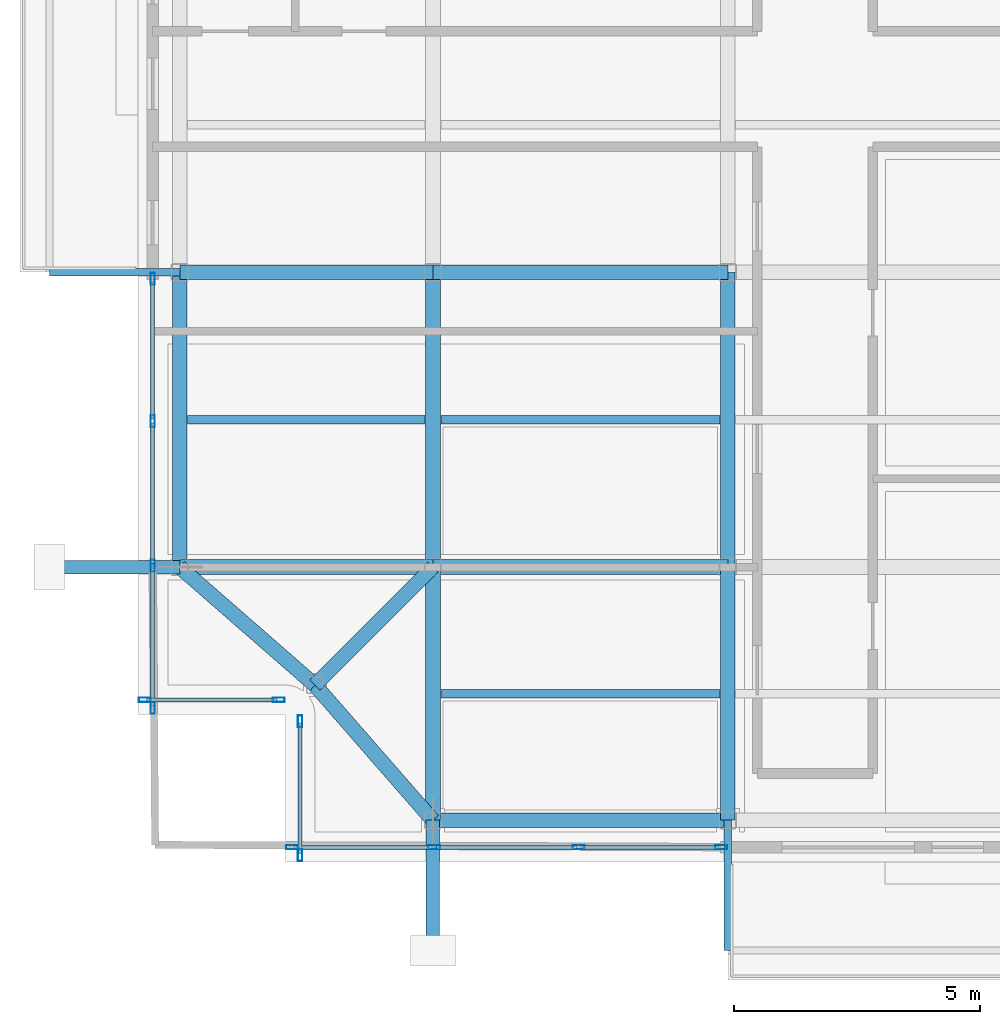
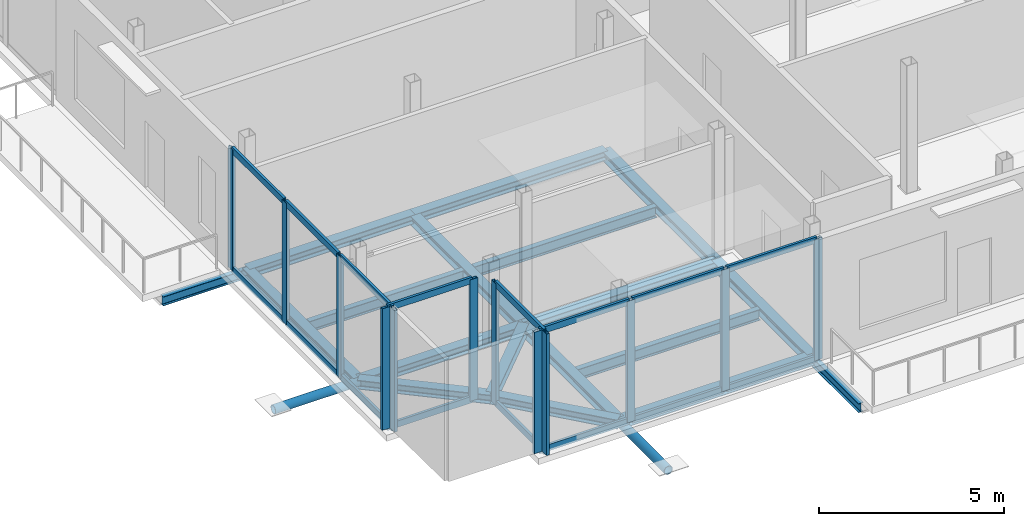
# One storey, part 2 of 16: 30 members, 18 beams, 4 elements without a shape of their own.
"""IFC4 building model written with IfcOpenShell, lengths in metres."""

from ifc_helpers import new_model, si_unit, direction, frame, origin, origin_2d, place, context, subcontext, project, spatial, hollow_rectangle, hollow_circle, i_section, extrude, material, layer, layer_set, material_profile, profile_set, type_object, element, aggregate, save


model = new_model("IFC4")

# Units and contexts
model_context = context("Model", 3, precision=1e-05, world=origin(), true_north=direction((0.0, 1.0)))
body_context = subcontext(model_context, "Body", "Model", "MODEL_VIEW")
ifc_project = project(units=[si_unit("LENGTHUNIT", "METRE"), si_unit("AREAUNIT", "SQUARE_METRE"), si_unit("VOLUMEUNIT", "CUBIC_METRE"), si_unit("PLANEANGLEUNIT", "RADIAN"), si_unit("MASSUNIT", "GRAM", prefix="KILO"), si_unit("THERMODYNAMICTEMPERATUREUNIT", "KELVIN"), si_unit("POWERUNIT", "WATT")], contexts=[model_context])

# Site, building, storey
site_placement = place(None, origin())
site = spatial("IfcSite", under=ifc_project, at=site_placement, CompositionType="ELEMENT")
building_placement = place(site_placement, origin())
building = spatial("IfcBuilding", under=site, at=building_placement, Name="Svarakhadi Broadcast Tower", CompositionType="ELEMENT")
storey_placement = place(building_placement, frame((0.0, 0.0, 292.199951171875)))
storey = spatial("IfcBuildingStorey", under=building, at=storey_placement, Name="L74", CompositionType="ELEMENT", Elevation=292.199951171875)

# Beams
ifc_material_1 = material(Name="Steel S355J2 (IS 2062 E350C)", Category="steel")
ifc_material_profile_1 = material_profile(ifc_material_1, i_section(OverallWidth=0.169921875, OverallDepth=0.360107421875, WebThickness=0.008056640625, FlangeThickness=0.0126953125, FilletRadius=0.01806640625, at=origin_2d()), Name="NPB 360x170x57")
ifc_profile_set_1 = profile_set([ifc_material_profile_1], Name="Steel S355J2 (IS 2062 E350C)")
beam_type_1 = type_object("IfcBeamType", Name="Beam_NPB360", PredefinedType="BEAM", material=ifc_profile_set_1)
beam_1_placement = place(storey_placement, frame((1.010009765625, 9.0, -0.3798828125), z_axis=(1.0, 0.0, 0.0), x_axis=(0.0, 1.0, 0.0)))
element("IfcBeam", 1, at=beam_1_placement, inside=storey, type_object=beam_type_1, Name="L74 Secondary Composite Beam SB001", PredefinedType="BEAM", context=body_context, shape_type="SweptSolid", body=[
    extrude(i_section(OverallWidth=0.169921875, OverallDepth=0.360107421875, WebThickness=0.008056640625, FlangeThickness=0.0126953125, FilletRadius=0.01806640625, at=origin_2d()), origin(), (0.0, 0.0, 1.0), 4.830078125),
])
for number, where, z_axis, x_axis, name in (
    (2, (6.159912109375, 3.425048828125, -0.3798828125), (1.0, 0.0, 0.0), (0.0, 1.0, 0.0), "L74 Secondary Composite Beam SB004"),
    (3, (6.159912109375, 9.0, -0.3798828125), (1.0, 0.0, 0.0), (0.0, 1.0, 0.0), "L74 Secondary Composite Beam SB005"),
):
    element("IfcBeam", number, at=place(storey_placement, frame(where, z_axis=z_axis, x_axis=x_axis)), inside=storey, type_object=beam_type_1, Name=name, PredefinedType="BEAM", context=body_context, shape_type="SweptSolid", body=[
        extrude(i_section(OverallWidth=0.169921875, OverallDepth=0.360107421875, WebThickness=0.008056640625, FlangeThickness=0.0126953125, FilletRadius=0.01806640625, at=origin_2d()), origin(), (0.0, 0.0, 1.0), 5.68017578125),
    ])

# Curtain wall, members
ifc_material_2 = material(Name="Anodised Bronze Aluminium AA 6063-T6", Category="aluminium")
ifc_layer = layer(ifc_material_2, 0.239990234375)
ifc_layer_set = layer_set([ifc_layer], Name="Anodised Bronze Aluminium AA 6063-T6")
curtain_wall_type = type_object("IfcCurtainWallType", Name="CW_Sys_06", PredefinedType="NOTDEFINED", material=ifc_layer_set)
curtain_wall_1_placement = place(storey_placement, origin())
curtain_wall_1 = element("IfcCurtainWall", 4, at=curtain_wall_1_placement, inside=storey, type_object=curtain_wall_type, Name="L74 Unitised Facade Curtain Wall 01", PredefinedType="NOTDEFINED")
ifc_material_profile_2 = material_profile(ifc_material_2, hollow_rectangle(XDim=0.090087890625, YDim=0.239990234375, WallThickness=0.006103515625, at=origin_2d()), Name="ALU MULLION 240x90x6")
ifc_profile_set_2 = profile_set([ifc_material_profile_2], Name="Anodised Bronze Aluminium AA 6063-T6")
member_type_1 = type_object("IfcMemberType", Name="CW_Sys_06_Mul", PredefinedType="MULLION", material=ifc_profile_set_2)
member_1_placement = place(storey_placement, frame((2.864990234375, 3.300048828125, 0.0), z_axis=(0.0, 0.0, 1.0), x_axis=(0.0, -1.0, 0.0)))
member_1 = element("IfcMember", 5, at=member_1_placement, type_object=member_type_1, Name="CW-06 mullion 1", PredefinedType="MULLION", context=body_context, shape_type="SweptSolid", body=[
    extrude(hollow_rectangle(XDim=0.090087890625, YDim=0.239990234375, WallThickness=0.006103515625, at=origin_2d()), origin(), (0.0, 0.0, 1.0), 4.0),
])
member_2_placement = place(storey_placement, frame((0.135009765625, 3.300048828125, 0.0), z_axis=(0.0, 0.0, 1.0), x_axis=(0.0, -1.0, 0.0)))
member_2 = element("IfcMember", 6, at=member_2_placement, type_object=member_type_1, Name="CW-06 mullion 2", PredefinedType="MULLION", context=body_context, shape_type="SweptSolid", body=[
    extrude(hollow_rectangle(XDim=0.090087890625, YDim=0.239990234375, WallThickness=0.006103515625, at=origin_2d()), origin(), (0.0, 0.0, 1.0), 4.0),
])

curtain_wall_2_placement = place(storey_placement, origin())
curtain_wall_2 = element("IfcCurtainWall", 7, at=curtain_wall_2_placement, inside=storey, type_object=curtain_wall_type, Name="L74 West Curtain Wall 02", PredefinedType="NOTDEFINED")
member_3_placement = place(storey_placement, frame((0.300048828125, 3.135009765625, 0.0), z_axis=(0.0, 0.0, 1.0), x_axis=(-1.0, 0.0, 0.0)))
member_3 = element("IfcMember", 8, at=member_3_placement, type_object=member_type_1, Name="CW-06 mullion 1", PredefinedType="MULLION", context=body_context, shape_type="SweptSolid", body=[
    extrude(hollow_rectangle(XDim=0.090087890625, YDim=0.239990234375, WallThickness=0.006103515625, at=origin_2d()), origin(), (0.0, 0.0, 1.0), 4.0),
])
member_4_placement = place(storey_placement, frame((0.300048828125, 6.030029296875, 0.0), z_axis=(0.0, 0.0, 1.0), x_axis=(-1.0, 0.0, 0.0)))
member_4 = element("IfcMember", 9, at=member_4_placement, type_object=member_type_1, Name="CW-06 mullion 2", PredefinedType="MULLION", context=body_context, shape_type="SweptSolid", body=[
    extrude(hollow_rectangle(XDim=0.090087890625, YDim=0.239990234375, WallThickness=0.006103515625, at=origin_2d()), origin(), (0.0, 0.0, 1.0), 4.0),
])
member_5_placement = place(storey_placement, frame((0.300048828125, 8.969970703125, 0.0), z_axis=(0.0, 0.0, 1.0), x_axis=(-1.0, 0.0, 0.0)))
member_5 = element("IfcMember", 10, at=member_5_placement, type_object=member_type_1, Name="CW-06 mullion 3", PredefinedType="MULLION", context=body_context, shape_type="SweptSolid", body=[
    extrude(hollow_rectangle(XDim=0.090087890625, YDim=0.239990234375, WallThickness=0.006103515625, at=origin_2d()), origin(), (0.0, 0.0, 1.0), 4.0),
])
member_6_placement = place(storey_placement, frame((0.300048828125, 11.864990234375, 0.0), z_axis=(0.0, 0.0, 1.0), x_axis=(-1.0, 0.0, 0.0)))
member_6 = element("IfcMember", 11, at=member_6_placement, type_object=member_type_1, Name="CW-06 mullion 4", PredefinedType="MULLION", context=body_context, shape_type="SweptSolid", body=[
    extrude(hollow_rectangle(XDim=0.090087890625, YDim=0.239990234375, WallThickness=0.006103515625, at=origin_2d()), origin(), (0.0, 0.0, 1.0), 4.0),
])

curtain_wall_3_placement = place(storey_placement, origin())
curtain_wall_3 = element("IfcCurtainWall", 12, at=curtain_wall_3_placement, inside=storey, type_object=curtain_wall_type, Name="L74 South Curtain Wall 17", PredefinedType="NOTDEFINED")
member_7_placement = place(storey_placement, frame((11.864990234375, 0.300048828125, 0.0), z_axis=(0.0, 0.0, 1.0), x_axis=(0.0, -1.0, 0.0)))
member_7 = element("IfcMember", 13, at=member_7_placement, type_object=member_type_1, Name="CW-06 mullion 1", PredefinedType="MULLION", context=body_context, shape_type="SweptSolid", body=[
    extrude(hollow_rectangle(XDim=0.090087890625, YDim=0.239990234375, WallThickness=0.006103515625, at=origin_2d()), origin(), (0.0, 0.0, 1.0), 4.0),
])
member_8_placement = place(storey_placement, frame((8.969970703125, 0.300048828125, 0.0), z_axis=(0.0, 0.0, 1.0), x_axis=(0.0, -1.0, 0.0)))
member_8 = element("IfcMember", 14, at=member_8_placement, type_object=member_type_1, Name="CW-06 mullion 2", PredefinedType="MULLION", context=body_context, shape_type="SweptSolid", body=[
    extrude(hollow_rectangle(XDim=0.090087890625, YDim=0.239990234375, WallThickness=0.006103515625, at=origin_2d()), origin(), (0.0, 0.0, 1.0), 4.0),
])
member_9_placement = place(storey_placement, frame((6.030029296875, 0.300048828125, 0.0), z_axis=(0.0, 0.0, 1.0), x_axis=(0.0, -1.0, 0.0)))
member_9 = element("IfcMember", 15, at=member_9_placement, type_object=member_type_1, Name="CW-06 mullion 3", PredefinedType="MULLION", context=body_context, shape_type="SweptSolid", body=[
    extrude(hollow_rectangle(XDim=0.090087890625, YDim=0.239990234375, WallThickness=0.006103515625, at=origin_2d()), origin(), (0.0, 0.0, 1.0), 4.0),
])
member_10_placement = place(storey_placement, frame((3.135009765625, 0.300048828125, 0.0), z_axis=(0.0, 0.0, 1.0), x_axis=(0.0, -1.0, 0.0)))
member_10 = element("IfcMember", 16, at=member_10_placement, type_object=member_type_1, Name="CW-06 mullion 4", PredefinedType="MULLION", context=body_context, shape_type="SweptSolid", body=[
    extrude(hollow_rectangle(XDim=0.090087890625, YDim=0.239990234375, WallThickness=0.006103515625, at=origin_2d()), origin(), (0.0, 0.0, 1.0), 4.0),
])

curtain_wall_4_placement = place(storey_placement, origin())
curtain_wall_4 = element("IfcCurtainWall", 17, at=curtain_wall_4_placement, inside=storey, type_object=curtain_wall_type, Name="L74 Unitised Facade Curtain Wall 18", PredefinedType="NOTDEFINED")
member_11_placement = place(storey_placement, frame((3.300048828125, 0.135009765625, 0.0), z_axis=(0.0, 0.0, 1.0), x_axis=(-1.0, 0.0, 0.0)))
member_11 = element("IfcMember", 18, at=member_11_placement, type_object=member_type_1, Name="CW-06 mullion 1", PredefinedType="MULLION", context=body_context, shape_type="SweptSolid", body=[
    extrude(hollow_rectangle(XDim=0.090087890625, YDim=0.239990234375, WallThickness=0.006103515625, at=origin_2d()), origin(), (0.0, 0.0, 1.0), 4.0),
])
member_12_placement = place(storey_placement, frame((3.300048828125, 2.864990234375, 0.0), z_axis=(0.0, 0.0, 1.0), x_axis=(-1.0, 0.0, 0.0)))
member_12 = element("IfcMember", 19, at=member_12_placement, type_object=member_type_1, Name="CW-06 mullion 2", PredefinedType="MULLION", context=body_context, shape_type="SweptSolid", body=[
    extrude(hollow_rectangle(XDim=0.090087890625, YDim=0.239990234375, WallThickness=0.006103515625, at=origin_2d()), origin(), (0.0, 0.0, 1.0), 4.0),
])

# Member
ifc_material_profile_3 = material_profile(ifc_material_2, hollow_rectangle(XDim=0.080078125, YDim=0.2099609375, WallThickness=0.0048828125, at=origin_2d()), Name="ALU TRANSOM 210x80x5")
ifc_profile_set_3 = profile_set([ifc_material_profile_3], Name="Anodised Bronze Aluminium AA 6063-T6")
member_type_2 = type_object("IfcMemberType", Name="CW_Sys_06_Trn", PredefinedType="USERDEFINED", material=ifc_profile_set_3)
member_13_placement = place(storey_placement, frame((2.820068359375, 3.300048828125, 0.0400390625), z_axis=(-1.0, 0.0, 0.0), x_axis=(0.0, -1.0, 0.0)))
member_13 = element("IfcMember", 20, at=member_13_placement, type_object=member_type_2, Name="CW-06 transom 1.1", ObjectType="TRANSOM", PredefinedType="USERDEFINED", context=body_context, shape_type="SweptSolid", body=[
    extrude(hollow_rectangle(XDim=0.080078125, YDim=0.2099609375, WallThickness=0.0048828125, at=origin_2d()), origin(), (0.0, 0.0, 1.0), 2.64013671875),
])

member_14_placement = place(storey_placement, frame((2.820068359375, 3.300048828125, 3.9599609375), z_axis=(-1.0, 0.0, 0.0), x_axis=(0.0, -1.0, 0.0)))
member_14 = element("IfcMember", 21, at=member_14_placement, type_object=member_type_2, Name="CW-06 transom 1.2", ObjectType="TRANSOM", PredefinedType="USERDEFINED", context=body_context, shape_type="SweptSolid", body=[
    extrude(hollow_rectangle(XDim=0.080078125, YDim=0.2099609375, WallThickness=0.0048828125, at=origin_2d()), origin(), (0.0, 0.0, 1.0), 2.64013671875),
])

aggregate(curtain_wall_1, [member_1, member_2, member_13, member_14])

member_15_placement = place(storey_placement, frame((0.300048828125, 3.179931640625, 0.0400390625), z_axis=(0.0, 1.0, 0.0), x_axis=(-1.0, 0.0, 0.0)))
member_15 = element("IfcMember", 22, at=member_15_placement, type_object=member_type_2, Name="CW-06 transom 1.1", ObjectType="TRANSOM", PredefinedType="USERDEFINED", context=body_context, shape_type="SweptSolid", body=[
    extrude(hollow_rectangle(XDim=0.080078125, YDim=0.2099609375, WallThickness=0.0048828125, at=origin_2d()), origin(), (0.0, 0.0, 1.0), 2.80517578125),
])

member_16_placement = place(storey_placement, frame((0.300048828125, 3.179931640625, 3.9599609375), z_axis=(0.0, 1.0, 0.0), x_axis=(-1.0, 0.0, 0.0)))
member_16 = element("IfcMember", 23, at=member_16_placement, type_object=member_type_2, Name="CW-06 transom 1.2", ObjectType="TRANSOM", PredefinedType="USERDEFINED", context=body_context, shape_type="SweptSolid", body=[
    extrude(hollow_rectangle(XDim=0.080078125, YDim=0.2099609375, WallThickness=0.0048828125, at=origin_2d()), origin(), (0.0, 0.0, 1.0), 2.80517578125),
])

member_17_placement = place(storey_placement, frame((0.300048828125, 6.074951171875, 0.0400390625), z_axis=(0.0, 1.0, 0.0), x_axis=(-1.0, 0.0, 0.0)))
member_17 = element("IfcMember", 24, at=member_17_placement, type_object=member_type_2, Name="CW-06 transom 2.1", ObjectType="TRANSOM", PredefinedType="USERDEFINED", context=body_context, shape_type="SweptSolid", body=[
    extrude(hollow_rectangle(XDim=0.080078125, YDim=0.2099609375, WallThickness=0.0048828125, at=origin_2d()), origin(), (0.0, 0.0, 1.0), 2.85009765625),
])

member_18_placement = place(storey_placement, frame((0.300048828125, 6.074951171875, 3.9599609375), z_axis=(0.0, 1.0, 0.0), x_axis=(-1.0, 0.0, 0.0)))
member_18 = element("IfcMember", 25, at=member_18_placement, type_object=member_type_2, Name="CW-06 transom 2.2", ObjectType="TRANSOM", PredefinedType="USERDEFINED", context=body_context, shape_type="SweptSolid", body=[
    extrude(hollow_rectangle(XDim=0.080078125, YDim=0.2099609375, WallThickness=0.0048828125, at=origin_2d()), origin(), (0.0, 0.0, 1.0), 2.85009765625),
])

member_19_placement = place(storey_placement, frame((0.300048828125, 9.014892578125, 0.0400390625), z_axis=(0.0, 1.0, 0.0), x_axis=(-1.0, 0.0, 0.0)))
member_19 = element("IfcMember", 26, at=member_19_placement, type_object=member_type_2, Name="CW-06 transom 3.1", ObjectType="TRANSOM", PredefinedType="USERDEFINED", context=body_context, shape_type="SweptSolid", body=[
    extrude(hollow_rectangle(XDim=0.080078125, YDim=0.2099609375, WallThickness=0.0048828125, at=origin_2d()), origin(), (0.0, 0.0, 1.0), 2.80517578125),
])

member_20_placement = place(storey_placement, frame((0.300048828125, 9.014892578125, 3.9599609375), z_axis=(0.0, 1.0, 0.0), x_axis=(-1.0, 0.0, 0.0)))
member_20 = element("IfcMember", 27, at=member_20_placement, type_object=member_type_2, Name="CW-06 transom 3.2", ObjectType="TRANSOM", PredefinedType="USERDEFINED", context=body_context, shape_type="SweptSolid", body=[
    extrude(hollow_rectangle(XDim=0.080078125, YDim=0.2099609375, WallThickness=0.0048828125, at=origin_2d()), origin(), (0.0, 0.0, 1.0), 2.80517578125),
])

aggregate(curtain_wall_2, [member_3, member_4, member_5, member_6, member_15, member_16, member_17, member_18, member_19, member_20])

member_21_placement = place(storey_placement, frame((11.820068359375, 0.300048828125, 0.0400390625), z_axis=(-1.0, 0.0, 0.0), x_axis=(0.0, -1.0, 0.0)))
member_21 = element("IfcMember", 28, at=member_21_placement, type_object=member_type_2, Name="CW-06 transom 1.1", ObjectType="TRANSOM", PredefinedType="USERDEFINED", context=body_context, shape_type="SweptSolid", body=[
    extrude(hollow_rectangle(XDim=0.080078125, YDim=0.2099609375, WallThickness=0.0048828125, at=origin_2d()), origin(), (0.0, 0.0, 1.0), 2.80517578125),
])

member_22_placement = place(storey_placement, frame((11.820068359375, 0.300048828125, 3.9599609375), z_axis=(-1.0, 0.0, 0.0), x_axis=(0.0, -1.0, 0.0)))
member_22 = element("IfcMember", 29, at=member_22_placement, type_object=member_type_2, Name="CW-06 transom 1.2", ObjectType="TRANSOM", PredefinedType="USERDEFINED", context=body_context, shape_type="SweptSolid", body=[
    extrude(hollow_rectangle(XDim=0.080078125, YDim=0.2099609375, WallThickness=0.0048828125, at=origin_2d()), origin(), (0.0, 0.0, 1.0), 2.80517578125),
])

member_23_placement = place(storey_placement, frame((8.925048828125, 0.300048828125, 0.0400390625), z_axis=(-1.0, 0.0, 0.0), x_axis=(0.0, -1.0, 0.0)))
member_23 = element("IfcMember", 30, at=member_23_placement, type_object=member_type_2, Name="CW-06 transom 2.1", ObjectType="TRANSOM", PredefinedType="USERDEFINED", context=body_context, shape_type="SweptSolid", body=[
    extrude(hollow_rectangle(XDim=0.080078125, YDim=0.2099609375, WallThickness=0.0048828125, at=origin_2d()), origin(), (0.0, 0.0, 1.0), 2.85009765625),
])

member_24_placement = place(storey_placement, frame((8.925048828125, 0.300048828125, 3.9599609375), z_axis=(-1.0, 0.0, 0.0), x_axis=(0.0, -1.0, 0.0)))
member_24 = element("IfcMember", 31, at=member_24_placement, type_object=member_type_2, Name="CW-06 transom 2.2", ObjectType="TRANSOM", PredefinedType="USERDEFINED", context=body_context, shape_type="SweptSolid", body=[
    extrude(hollow_rectangle(XDim=0.080078125, YDim=0.2099609375, WallThickness=0.0048828125, at=origin_2d()), origin(), (0.0, 0.0, 1.0), 2.85009765625),
])

member_25_placement = place(storey_placement, frame((5.985107421875, 0.300048828125, 0.0400390625), z_axis=(-1.0, 0.0, 0.0), x_axis=(0.0, -1.0, 0.0)))
member_25 = element("IfcMember", 32, at=member_25_placement, type_object=member_type_2, Name="CW-06 transom 3.1", ObjectType="TRANSOM", PredefinedType="USERDEFINED", context=body_context, shape_type="SweptSolid", body=[
    extrude(hollow_rectangle(XDim=0.080078125, YDim=0.2099609375, WallThickness=0.0048828125, at=origin_2d()), origin(), (0.0, 0.0, 1.0), 2.80517578125),
])

member_26_placement = place(storey_placement, frame((5.985107421875, 0.300048828125, 3.9599609375), z_axis=(-1.0, 0.0, 0.0), x_axis=(0.0, -1.0, 0.0)))
member_26 = element("IfcMember", 33, at=member_26_placement, type_object=member_type_2, Name="CW-06 transom 3.2", ObjectType="TRANSOM", PredefinedType="USERDEFINED", context=body_context, shape_type="SweptSolid", body=[
    extrude(hollow_rectangle(XDim=0.080078125, YDim=0.2099609375, WallThickness=0.0048828125, at=origin_2d()), origin(), (0.0, 0.0, 1.0), 2.80517578125),
])

aggregate(curtain_wall_3, [member_7, member_8, member_9, member_10, member_21, member_22, member_23, member_24, member_25, member_26])

member_27_placement = place(storey_placement, frame((3.300048828125, 0.179931640625, 0.0400390625), z_axis=(0.0, 1.0, 0.0), x_axis=(-1.0, 0.0, 0.0)))
member_27 = element("IfcMember", 34, at=member_27_placement, type_object=member_type_2, Name="CW-06 transom 1.1", ObjectType="TRANSOM", PredefinedType="USERDEFINED", context=body_context, shape_type="SweptSolid", body=[
    extrude(hollow_rectangle(XDim=0.080078125, YDim=0.2099609375, WallThickness=0.0048828125, at=origin_2d()), origin(), (0.0, 0.0, 1.0), 2.64013671875),
])

member_28_placement = place(storey_placement, frame((3.300048828125, 0.179931640625, 3.9599609375), z_axis=(0.0, 1.0, 0.0), x_axis=(-1.0, 0.0, 0.0)))
member_28 = element("IfcMember", 35, at=member_28_placement, type_object=member_type_2, Name="CW-06 transom 1.2", ObjectType="TRANSOM", PredefinedType="USERDEFINED", context=body_context, shape_type="SweptSolid", body=[
    extrude(hollow_rectangle(XDim=0.080078125, YDim=0.2099609375, WallThickness=0.0048828125, at=origin_2d()), origin(), (0.0, 0.0, 1.0), 2.64013671875),
])

aggregate(curtain_wall_4, [member_11, member_12, member_27, member_28])

# Members
ifc_material_3 = material(Name="Steel S460ML (IS 2062 E450BR)", Category="steel")
ifc_material_profile_4 = material_profile(ifc_material_3, hollow_circle(Radius=0.136474609375, WallThickness=0.012451171875, at=origin_2d()), Name="CHS 273x12.5")
ifc_profile_set_4 = profile_set([ifc_material_profile_4], Name="Steel S460ML (IS 2062 E450BR)")
member_type_3 = type_object("IfcMemberType", Name="Exo_Radial_Strut_Z3", PredefinedType="STRUT", material=ifc_profile_set_4)
for number, where, z_axis, x_axis, name in (
    (36, (6.0, -1.800048828125, -0.33642578125), (0.0, 1.0, 0.0), (-1.0, 0.0, 0.0), "L74 Exoskeleton Radial Tie Strut S01"),
    (37, (-1.800048828125, 6.0, -0.33642578125), (1.0, 0.0, 0.0), (0.0, 1.0, 0.0), "L74 Exoskeleton Radial Tie Strut W04"),
):
    element("IfcMember", number, at=place(storey_placement, frame(where, z_axis=z_axis, x_axis=x_axis)), inside=storey, type_object=member_type_3, Name=name, PredefinedType="STRUT", context=body_context, shape_type="SweptSolid", body=[
        extrude(hollow_circle(Radius=0.136474609375, WallThickness=0.012451171875, at=origin_2d()), origin(), (0.0, 0.0, 1.0), 2.650146484375),
    ])

# Beams
ifc_material_profile_5 = material_profile(ifc_material_1, i_section(OverallWidth=0.300048828125, OverallDepth=0.300048828125, WebThickness=0.010986328125, FlangeThickness=0.01904296875, FilletRadius=0.027099609375, at=origin_2d()), Name="WPB 300x300x117")
ifc_profile_set_5 = profile_set([ifc_material_profile_5], Name="Steel S355J2 (IS 2062 E350C)")
beam_type_2 = type_object("IfcBeamType", Name="Girder_WPB300", PredefinedType="USERDEFINED", material=ifc_profile_set_5)
beam_2_placement = place(storey_placement, frame((3.60009765625, 3.60009765625, -0.349853515625), z_axis=(0.707106781187, 0.707106781187, 0.0), x_axis=(-0.707106781187, 0.707106781187, 0.0)))
element("IfcBeam", 38, at=beam_2_placement, inside=storey, type_object=beam_type_2, Name="L74 Corner Tie Girder G001", ObjectType="GIRDER", PredefinedType="USERDEFINED", context=body_context, shape_type="SweptSolid", body=[
    extrude(i_section(OverallWidth=0.300048828125, OverallDepth=0.300048828125, WebThickness=0.010986328125, FlangeThickness=0.01904296875, FilletRadius=0.027099609375, at=origin_2d()), origin(), (0.0, 0.0, 1.0), 3.39404296875),
])
for number, where, z_axis, x_axis, name in (
    (39, (3.60009765625, 3.60009765625, -0.349853515625), (-0.753437912176, 0.657519058655, 0.0), (-0.657519058655, -0.753437912176, 0.0), "L74 Corner Tie Girder G002"),
    (40, (3.60009765625, 3.60009765625, -0.349853515625), (0.657519058655, -0.753437912176, 0.0), (0.753437912176, 0.657519058655, 0.0), "L74 Corner Tie Girder G003"),
):
    element("IfcBeam", number, at=place(storey_placement, frame(where, z_axis=z_axis, x_axis=x_axis)), inside=storey, type_object=beam_type_2, Name=name, ObjectType="GIRDER", PredefinedType="USERDEFINED", context=body_context, shape_type="SweptSolid", body=[
        extrude(i_section(OverallWidth=0.300048828125, OverallDepth=0.300048828125, WebThickness=0.010986328125, FlangeThickness=0.01904296875, FilletRadius=0.027099609375, at=origin_2d()), origin(), (0.0, 0.0, 1.0), 3.64990234375),
    ])
beam_3_placement = place(storey_placement, frame((6.0, 0.85009765625, -0.349853515625), z_axis=(1.0, 0.0, 0.0), x_axis=(0.0, 1.0, 0.0)))
element("IfcBeam", 41, at=beam_3_placement, inside=storey, type_object=beam_type_2, Name="L74 Primary E-W Girder G004", ObjectType="GIRDER", PredefinedType="USERDEFINED", context=body_context, shape_type="SweptSolid", body=[
    extrude(i_section(OverallWidth=0.300048828125, OverallDepth=0.300048828125, WebThickness=0.010986328125, FlangeThickness=0.01904296875, FilletRadius=0.027099609375, at=origin_2d()), origin(), (0.0, 0.0, 1.0), 6.0),
])
beam_4_placement = place(storey_placement, frame((0.85009765625, 6.0, -0.349853515625), z_axis=(1.0, 0.0, 0.0), x_axis=(0.0, 1.0, 0.0)))
element("IfcBeam", 42, at=beam_4_placement, inside=storey, type_object=beam_type_2, Name="L74 Primary E-W Girder G008", ObjectType="GIRDER", PredefinedType="USERDEFINED", context=body_context, shape_type="SweptSolid", body=[
    extrude(i_section(OverallWidth=0.300048828125, OverallDepth=0.300048828125, WebThickness=0.010986328125, FlangeThickness=0.01904296875, FilletRadius=0.027099609375, at=origin_2d()), origin(), (0.0, 0.0, 1.0), 5.14990234375),
])
beam_5_placement = place(storey_placement, frame((6.0, 6.0, -0.349853515625), z_axis=(1.0, 0.0, 0.0), x_axis=(0.0, 1.0, 0.0)))
element("IfcBeam", 43, at=beam_5_placement, inside=storey, type_object=beam_type_2, Name="L74 Primary E-W Girder G009", ObjectType="GIRDER", PredefinedType="USERDEFINED", context=body_context, shape_type="SweptSolid", body=[
    extrude(i_section(OverallWidth=0.300048828125, OverallDepth=0.300048828125, WebThickness=0.010986328125, FlangeThickness=0.01904296875, FilletRadius=0.027099609375, at=origin_2d()), origin(), (0.0, 0.0, 1.0), 6.0),
])
beam_6_placement = place(storey_placement, frame((0.85009765625, 12.0, -0.349853515625), z_axis=(1.0, 0.0, 0.0), x_axis=(0.0, 1.0, 0.0)))
element("IfcBeam", 44, at=beam_6_placement, inside=storey, type_object=beam_type_2, Name="L74 Primary E-W Girder G013", ObjectType="GIRDER", PredefinedType="USERDEFINED", context=body_context, shape_type="SweptSolid", body=[
    extrude(i_section(OverallWidth=0.300048828125, OverallDepth=0.300048828125, WebThickness=0.010986328125, FlangeThickness=0.01904296875, FilletRadius=0.027099609375, at=origin_2d()), origin(), (0.0, 0.0, 1.0), 5.14990234375),
])
for number, where, z_axis, x_axis, name in (
    (45, (6.0, 12.0, -0.349853515625), (1.0, 0.0, 0.0), (0.0, 1.0, 0.0), "L74 Primary E-W Girder G014"),
    (46, (0.85009765625, 6.0, -0.349853515625), (0.0, 1.0, 0.0), (-1.0, 0.0, 0.0), "L74 Primary N-S Girder G026"),
):
    element("IfcBeam", number, at=place(storey_placement, frame(where, z_axis=z_axis, x_axis=x_axis)), inside=storey, type_object=beam_type_2, Name=name, ObjectType="GIRDER", PredefinedType="USERDEFINED", context=body_context, shape_type="SweptSolid", body=[
        extrude(i_section(OverallWidth=0.300048828125, OverallDepth=0.300048828125, WebThickness=0.010986328125, FlangeThickness=0.01904296875, FilletRadius=0.027099609375, at=origin_2d()), origin(), (0.0, 0.0, 1.0), 6.0),
    ])
beam_7_placement = place(storey_placement, frame((6.0, 0.85009765625, -0.349853515625), z_axis=(0.0, 1.0, 0.0), x_axis=(-1.0, 0.0, 0.0)))
element("IfcBeam", 47, at=beam_7_placement, inside=storey, type_object=beam_type_2, Name="L74 Primary N-S Girder G029", ObjectType="GIRDER", PredefinedType="USERDEFINED", context=body_context, shape_type="SweptSolid", body=[
    extrude(i_section(OverallWidth=0.300048828125, OverallDepth=0.300048828125, WebThickness=0.010986328125, FlangeThickness=0.01904296875, FilletRadius=0.027099609375, at=origin_2d()), origin(), (0.0, 0.0, 1.0), 5.14990234375),
])
beam_8_placement = place(storey_placement, frame((6.0, 6.0, -0.349853515625), z_axis=(0.0, 1.0, 0.0), x_axis=(-1.0, 0.0, 0.0)))
element("IfcBeam", 48, at=beam_8_placement, inside=storey, type_object=beam_type_2, Name="L74 Primary N-S Girder G030", ObjectType="GIRDER", PredefinedType="USERDEFINED", context=body_context, shape_type="SweptSolid", body=[
    extrude(i_section(OverallWidth=0.300048828125, OverallDepth=0.300048828125, WebThickness=0.010986328125, FlangeThickness=0.01904296875, FilletRadius=0.027099609375, at=origin_2d()), origin(), (0.0, 0.0, 1.0), 6.0),
])
beam_9_placement = place(storey_placement, frame((12.0, 0.85009765625, -0.349853515625), z_axis=(0.0, 1.0, 0.0), x_axis=(-1.0, 0.0, 0.0)))
element("IfcBeam", 49, at=beam_9_placement, inside=storey, type_object=beam_type_2, Name="L74 Primary N-S Girder G033", ObjectType="GIRDER", PredefinedType="USERDEFINED", context=body_context, shape_type="SweptSolid", body=[
    extrude(i_section(OverallWidth=0.300048828125, OverallDepth=0.300048828125, WebThickness=0.010986328125, FlangeThickness=0.01904296875, FilletRadius=0.027099609375, at=origin_2d()), origin(), (0.0, 0.0, 1.0), 5.14990234375),
])
beam_10_placement = place(storey_placement, frame((12.0, 6.0, -0.349853515625), z_axis=(0.0, 1.0, 0.0), x_axis=(-1.0, 0.0, 0.0)))
element("IfcBeam", 50, at=beam_10_placement, inside=storey, type_object=beam_type_2, Name="L74 Primary N-S Girder G034", ObjectType="GIRDER", PredefinedType="USERDEFINED", context=body_context, shape_type="SweptSolid", body=[
    extrude(i_section(OverallWidth=0.300048828125, OverallDepth=0.300048828125, WebThickness=0.010986328125, FlangeThickness=0.01904296875, FilletRadius=0.027099609375, at=origin_2d()), origin(), (0.0, 0.0, 1.0), 6.0),
])
ifc_material_profile_6 = material_profile(ifc_material_1, i_section(OverallWidth=0.14990234375, OverallDepth=0.300048828125, WebThickness=0.007080078125, FlangeThickness=0.0107421875, FilletRadius=0.014892578125, at=origin_2d()), Name="NPB 300x150x37")
ifc_profile_set_6 = profile_set([ifc_material_profile_6], Name="Steel S355J2 (IS 2062 E350C)")
beam_type_3 = type_object("IfcBeamType", Name="Spandrel_NPB300", PredefinedType="SPANDREL", material=ifc_profile_set_6)
for number, where, z_axis, x_axis, name in (
    (51, (12.0, 0.85009765625, -0.375), (0.0, -1.0, 0.0), (1.0, 0.0, 0.0), "L74 Balcony Cantilever Bracket 1A"),
    (52, (0.85009765625, 12.0, -0.375), (-1.0, 0.0, 0.0), (0.0, -1.0, 0.0), "L74 Balcony Cantilever Bracket 2A"),
):
    element("IfcBeam", number, at=place(storey_placement, frame(where, z_axis=z_axis, x_axis=x_axis)), inside=storey, type_object=beam_type_3, Name=name, PredefinedType="SPANDREL", context=body_context, shape_type="SweptSolid", body=[
        extrude(i_section(OverallWidth=0.14990234375, OverallDepth=0.300048828125, WebThickness=0.007080078125, FlangeThickness=0.0107421875, FilletRadius=0.014892578125, at=origin_2d()), origin(), (0.0, 0.0, 1.0), 2.650146484375),
    ])

save(model, "model.ifc")
